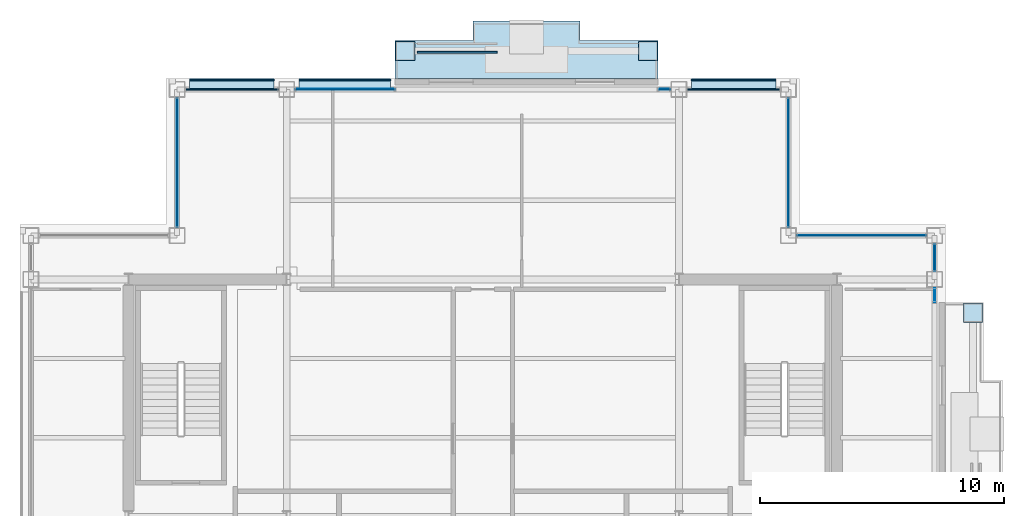
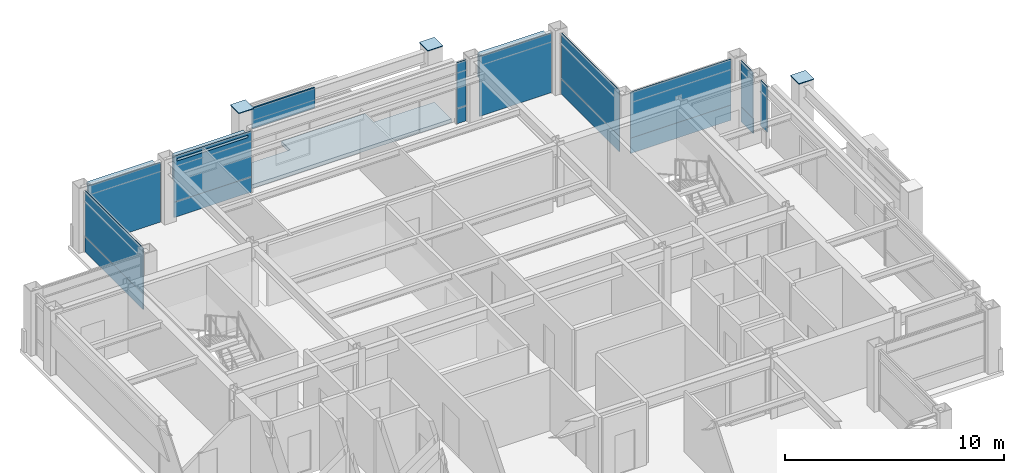
# One storey, part 18 of 23: 25 plates, 1 slab, 9 elements without a shape of their own.
"""IFC4 building model written with IfcOpenShell, lengths in metres."""

import ifcopenshell
import ifcopenshell.guid

model = None  # the IFC model being written
_history = None  # IfcOwnerHistory: only IFC2X3 demands one
_inside = {}  # id of a spatial element -> (the spatial element, [elements in it])
_under = {}  # id of a project, library or spatial element -> (it, [spatial elements below it])
_declared = {}  # id of a project -> (the project, [libraries it declares])
_typed = {}  # id of a type object -> (the type object, [elements of that type])
_made_of = {}  # id of a material, layer set ... -> (it, [elements and type objects made of it])


def new_model(schema):
    """Start an empty IFC model of exactly this schema.

    Asked for "IFC4X3", IfcOpenShell would pick the latest addendum, in which some entities
    have other attributes; the version numbers below select the first issue.
    IFC2X3 requires an IfcOwnerHistory on every rooted entity: one is made here for all.
    """
    global model, _history
    if schema == "IFC4X3":
        model = ifcopenshell.file(schema_version=(4, 3, 0, 0))
    else:
        model = ifcopenshell.file(schema=schema)
    _inside.clear()
    _under.clear()
    _declared.clear()
    _typed.clear()
    _made_of.clear()
    _history = None
    if model.schema == "IFC2X3":
        org = make("IfcOrganization", Name="unknown")
        user = make(
            "IfcPersonAndOrganization",
            ThePerson=make("IfcPerson", FamilyName="unknown"),
            TheOrganization=org,
        )
        app = make(
            "IfcApplication",
            ApplicationDeveloper=org,
            Version="unknown",
            ApplicationFullName="unknown",
            ApplicationIdentifier="unknown",
        )
        _history = make(
            "IfcOwnerHistory",
            OwningUser=user,
            OwningApplication=app,
            ChangeAction="ADDED",
            CreationDate=0,
        )
    return model


def make(cls, **values):
    """One entity of the class cls with the attributes given. An attribute that is None is left unset."""
    return model.create_entity(
        cls, **{name: value for name, value in values.items() if value is not None}
    )


def rooted(cls, **values):
    """An entity with a GlobalId (a new one), such as an element, a storey or a relation."""
    return make(cls, GlobalId=ifcopenshell.guid.new(), OwnerHistory=_history, **values)


def si_unit(unit_type, name, prefix=None):
    """IfcSIUnit, for example si_unit("LENGTHUNIT", "METRE", prefix="MILLI")."""
    return make("IfcSIUnit", UnitType=unit_type, Prefix=prefix, Name=name)


def assignment(units):
    """IfcUnitAssignment: the units of a project."""
    return None if units is None else make("IfcUnitAssignment", Units=units)


def point(xyz):
    """IfcCartesianPoint."""
    return None if xyz is None else make("IfcCartesianPoint", Coordinates=xyz)


def direction(xyz):
    """IfcDirection."""
    return None if xyz is None else make("IfcDirection", DirectionRatios=xyz)


def frame(location, z_axis=None, x_axis=None):
    """IfcAxis2Placement3D, a coordinate frame: its origin and axes. An axis left out is left unset."""
    return make(
        "IfcAxis2Placement3D",
        Location=point(location),
        Axis=direction(z_axis),
        RefDirection=direction(x_axis),
    )


def frame_2d(location, x_axis=None):
    """IfcAxis2Placement2D, a coordinate frame in the plane: its origin and x axis."""
    return make(
        "IfcAxis2Placement2D", Location=point(location), RefDirection=direction(x_axis)
    )


def origin():
    """The frame at (0, 0, 0) with its axes left unset."""
    return frame((0.0, 0.0, 0.0))


def origin_2d():
    """The frame at (0, 0) in the plane with its x axis left unset."""
    return frame_2d((0.0, 0.0))


def place(relative_to, where):
    """IfcLocalPlacement: puts the frame where relative to a parent placement (None: the world)."""
    return make(
        "IfcLocalPlacement", PlacementRelTo=relative_to, RelativePlacement=where
    )


def context(
    kind, dimensions, precision=None, world=None, true_north=None, identifier=None
):
    """IfcGeometricRepresentationContext, for example the 3D "Model" context."""
    return make(
        "IfcGeometricRepresentationContext",
        ContextIdentifier=identifier,
        ContextType=kind,
        CoordinateSpaceDimension=dimensions,
        Precision=precision,
        WorldCoordinateSystem=world,
        TrueNorth=true_north,
    )


def subcontext(parent, identifier, kind, view, scale=None):
    """IfcGeometricRepresentationSubContext, for example "Body" below "Model"."""
    return make(
        "IfcGeometricRepresentationSubContext",
        ContextIdentifier=identifier,
        ContextType=kind,
        ParentContext=parent,
        TargetScale=scale,
        TargetView=view,
    )


def project(units=None, contexts=None):
    """IfcProject with its units and contexts."""
    return rooted(
        "IfcProject",
        Name="project",
        RepresentationContexts=contexts,
        UnitsInContext=assignment(units),
    )


def spatial(cls, under=None, at=None, **own):
    """A site, building, storey or space (cls), placed at a placement, below another one or the project."""
    s = rooted(cls, ObjectPlacement=at, **own)
    if under is not None:
        _under.setdefault(under.id(), (under, []))[1].append(s)
    return s


def polyline(points):
    """IfcPolyline through the points."""
    return make("IfcPolyline", Points=[point(p) for p in points])


def profile(cls, at=None, kind="AREA", **sizes):
    """A parametric profile (cls). Its sizes go by their IFC names, for example OverallWidth=200.0."""
    return make(cls, ProfileType=kind, Position=at, **sizes)


def rectangle(**sizes):
    """IfcRectangleProfileDef."""
    return profile("IfcRectangleProfileDef", **sizes)


def outline(outer, holes=None, kind="AREA"):
    """IfcArbitraryClosedProfileDef: a profile drawn as a closed curve; with holes, ...WithVoids."""
    if holes is None:
        return make("IfcArbitraryClosedProfileDef", ProfileType=kind, OuterCurve=outer)
    return make(
        "IfcArbitraryProfileDefWithVoids",
        ProfileType=kind,
        OuterCurve=outer,
        InnerCurves=holes,
    )


def extrude(swept, where, along, depth):
    """IfcExtrudedAreaSolid: the profile swept, set in the frame where, extruded along a direction by depth."""
    return make(
        "IfcExtrudedAreaSolid",
        SweptArea=swept,
        Position=where,
        ExtrudedDirection=direction(along),
        Depth=depth,
    )


def shape(context_of_items, identifier, shape_type, items):
    """IfcShapeRepresentation: the items that make up one representation, for example the "Body"."""
    return make(
        "IfcShapeRepresentation",
        ContextOfItems=context_of_items,
        RepresentationIdentifier=identifier,
        RepresentationType=shape_type,
        Items=items,
    )


def material(Name=None, Category=None):
    """IfcMaterial."""
    return make("IfcMaterial", Name=Name, Category=Category)


def layer(
    of_material, thickness, ventilated=None, Name=None, Category=None, Priority=None
):
    """IfcMaterialLayer: one layer of a wall or slab, of a material (None: an air gap)."""
    return make(
        "IfcMaterialLayer",
        Material=of_material,
        LayerThickness=thickness,
        IsVentilated=ventilated,
        Name=Name,
        Category=Category,
        Priority=Priority,
    )


def layer_set(layers, Name=None):
    """IfcMaterialLayerSet."""
    return make("IfcMaterialLayerSet", MaterialLayers=layers, LayerSetName=Name)


def made_of(thing, what):
    """Note that an element or type object is made of a material, layer set ...; save() writes the relation."""
    if what is not None:
        _made_of.setdefault(what.id(), (what, []))[1].append(thing)
    return thing


def type_object(cls, material=None, **own):
    """A type object (cls), such as IfcWallType, which elements share."""
    return made_of(rooted(cls, **own), material)


def element(
    cls,
    number,
    at=None,
    inside=None,
    cuts=None,
    type_object=None,
    material=None,
    context=None,
    identifier="Body",
    shape_type=None,
    held_by="IfcProductDefinitionShape",
    body=None,
    shapes=None,
    **own,
):
    """One element of the class cls, such as IfcWall. Its Tag is "e" and its number.

    at: its placement. inside: the storey or other place that contains it. cuts: it is an
    opening in that element (IfcRelVoidsElement). A single representation is given by context,
    identifier, shape_type and body (its items); several are given by shapes. held_by: the class
    of the entity that holds the representations. save() writes the other relations.
    """
    e = rooted(cls, Tag="e%d" % number, ObjectPlacement=at, **own)
    if body is not None:
        shapes = [shape(context, identifier, shape_type, body)]
    if shapes is not None:
        e.Representation = make(held_by, Representations=shapes)
    if inside is not None:
        _inside.setdefault(inside.id(), (inside, []))[1].append(e)
    if cuts is not None:
        rooted(
            "IfcRelVoidsElement", RelatingBuildingElement=cuts, RelatedOpeningElement=e
        )
    if type_object is not None:
        _typed.setdefault(type_object.id(), (type_object, []))[1].append(e)
    return made_of(e, material)


def aggregate(whole, parts):
    """IfcRelAggregates: a whole, such as a stair, and the parts it consists of."""
    return rooted("IfcRelAggregates", RelatingObject=whole, RelatedObjects=parts)


def save(model, path):
    """Write the relations noted so far, then the file.

    IfcRelAggregates (storeys below a building ...), IfcRelContainedInSpatialStructure (elements
    in a storey), IfcRelDefinesByType, IfcRelAssociatesMaterial and IfcRelDeclares: one each for
    every whole, place, type object, material and project.
    """
    for whole, parts in _under.values():
        aggregate(whole, parts)
    for where, things in _inside.values():
        rooted(
            "IfcRelContainedInSpatialStructure",
            RelatedElements=things,
            RelatingStructure=where,
        )
    for kind, things in _typed.values():
        rooted("IfcRelDefinesByType", RelatedObjects=things, RelatingType=kind)
    for what, things in _made_of.values():
        rooted("IfcRelAssociatesMaterial", RelatedObjects=things, RelatingMaterial=what)
    for by, libraries in _declared.values():
        rooted("IfcRelDeclares", RelatingContext=by, RelatedDefinitions=libraries)
    model.write(path)


model = new_model("IFC4")

# Units and contexts
model_context = context("Model", 3, precision=1e-05, world=origin(), true_north=direction((0.0, 1.0)))
body_context = subcontext(model_context, "Body", "Model", "MODEL_VIEW")
ifc_project = project(units=[si_unit("LENGTHUNIT", "METRE"), si_unit("AREAUNIT", "SQUARE_METRE"), si_unit("VOLUMEUNIT", "CUBIC_METRE"), si_unit("PLANEANGLEUNIT", "RADIAN"), si_unit("MASSUNIT", "GRAM", prefix="KILO")], contexts=[model_context])

# Site, building, storey
site_placement = place(None, origin())
site = spatial("IfcSite", under=ifc_project, at=site_placement, CompositionType="ELEMENT")
building_placement = place(site_placement, origin())
building = spatial("IfcBuilding", under=site, at=building_placement, Name="Brelmoor Portico Tower", CompositionType="ELEMENT")
storey_placement = place(building_placement, frame((0.0, 0.0, 222.0)))
storey = spatial("IfcBuildingStorey", under=building, at=storey_placement, Name="L58", CompositionType="ELEMENT", Elevation=222.0)

# Plates
ifc_material_1 = material(Name="Steel Q355B", Category="steel")
ifc_layer_1 = layer(ifc_material_1, 0.044921875)
ifc_layer_set_1 = layer_set([ifc_layer_1], Name="Steel Q355B")
plate_type_1 = type_object("IfcPlateType", Name="PT-CAP-650", PredefinedType="SHEET", material=ifc_layer_set_1)
for number, where, z_axis, x_axis, name in (
    (1, (-3.179931640625, 19.1298828125, 3.60009765625), (0.0, 0.0, 1.0), (1.0, 0.0, 0.0), "L58 Proud Picture-Frame Pier PFJ-N1 Welded Head Cap Plate"),
    (2, (6.780029296875, 19.1298828125, 3.60009765625), (0.0, 0.0, 1.0), (1.0, 0.0, 0.0), "L58 Proud Picture-Frame Pier PFJ-N2 Welded Head Cap Plate"),
    (3, (20.1298828125, 8.3798828125, 3.60009765625), (0.0, 0.0, 1.0), (0.0, 1.0, 0.0), "L58 Proud Picture-Frame Pier PFJ-E2 Welded Head Cap Plate"),
):
    element("IfcPlate", number, at=place(storey_placement, frame(where, z_axis=z_axis, x_axis=x_axis)), inside=storey, type_object=plate_type_1, Name=name, PredefinedType="SHEET", context=body_context, shape_type="SweptSolid", body=[
        extrude(rectangle(XDim=0.7900390625, YDim=0.7900390625, at=origin_2d()), origin(), (0.0, 0.0, 1.0), 0.0400390625),
    ])

# Curtain wall, plate
ifc_material_2 = material(Name="Anodised Aluminium Alloy 6063-T6", Category="aluminium")
ifc_layer_2 = layer(ifc_material_2, 0.179931640625)
ifc_layer_set_2 = layer_set([ifc_layer_2], Name="Anodised Aluminium Alloy 6063-T6")
curtain_wall_type_1 = type_object("IfcCurtainWallType", Name="CW-TOWER-Z4", PredefinedType="NOTDEFINED", material=ifc_layer_set_2)
curtain_wall_1_placement = place(storey_placement, origin())
curtain_wall_1 = element("IfcCurtainWall", 4, at=curtain_wall_1_placement, inside=storey, type_object=curtain_wall_type_1, Name="L58 Curtain Wall CW-L58-2L-2", PredefinedType="NOTDEFINED")
ifc_material_3 = material(Name="Double-Silver Low-E Insulated Glazing", Category="glass")
ifc_layer_3 = layer(ifc_material_3, 0.035888671875)
ifc_layer_set_3 = layer_set([ifc_layer_3], Name="Double-Silver Low-E Insulated Glazing")
plate_type_2 = type_object("IfcPlateType", Name="PT-CW-GLASS", PredefinedType="CURTAIN_PANEL", material=ifc_layer_set_3)
plate_1_placement = place(storey_placement, frame((-5.657470703125, 17.550048828125, 0.85009765625), z_axis=(0.0, 0.0, 1.0), x_axis=(1.0, 0.0, 0.0)))
plate_1 = element("IfcPlate", 5, at=plate_1_placement, type_object=plate_type_2, Name="CW-L58-2L-2 Vision Glass Panel 00", PredefinedType="CURTAIN_PANEL", context=body_context, shape_type="SweptSolid", body=[
    extrude(rectangle(XDim=4.0849609375, YDim=0.035888671875, at=origin_2d()), origin(), (0.0, 0.0, 1.0), 2.550048828125),
])

curtain_wall_2_placement = place(storey_placement, origin())
curtain_wall_2 = element("IfcCurtainWall", 6, at=curtain_wall_2_placement, inside=storey, type_object=curtain_wall_type_1, Name="L58 Curtain Wall CW-L58-2R-1", PredefinedType="NOTDEFINED")
plate_2_placement = place(storey_placement, frame((7.45751953125, 17.550048828125, 0.85009765625), z_axis=(0.0, 0.0, 1.0), x_axis=(1.0, 0.0, 0.0)))
plate_2 = element("IfcPlate", 7, at=plate_2_placement, type_object=plate_type_2, Name="CW-L58-2R-1 Vision Glass Panel 00", PredefinedType="CURTAIN_PANEL", context=body_context, shape_type="SweptSolid", body=[
    extrude(rectangle(XDim=0.485107421875, YDim=0.035888671875, at=origin_2d()), origin(), (0.0, 0.0, 1.0), 2.550048828125),
])

curtain_wall_3_placement = place(storey_placement, origin())
curtain_wall_3 = element("IfcCurtainWall", 8, at=curtain_wall_3_placement, inside=storey, type_object=curtain_wall_type_1, Name="L58 Curtain Wall CW-L58-4R-1", PredefinedType="NOTDEFINED")
plate_3_placement = place(storey_placement, frame((18.550048828125, 9.107421875, 0.85009765625), z_axis=(0.0, 0.0, 1.0), x_axis=(0.0, 1.0, 0.0)))
plate_3 = element("IfcPlate", 9, at=plate_3_placement, type_object=plate_type_2, Name="CW-L58-4R-1 Vision Glass Panel 00", PredefinedType="CURTAIN_PANEL", context=body_context, shape_type="SweptSolid", body=[
    extrude(rectangle(XDim=0.5849609375, YDim=0.035888671875, at=origin_2d()), origin(), (0.0, 0.0, 1.0), 2.550048828125),
])
aggregate(curtain_wall_3, [plate_3])

curtain_wall_4_placement = place(storey_placement, origin())
curtain_wall_4 = element("IfcCurtainWall", 10, at=curtain_wall_4_placement, inside=storey, type_object=curtain_wall_type_1, Name="L58 Curtain Wall CW-L58-4R-2", PredefinedType="NOTDEFINED")
plate_4_placement = place(storey_placement, frame((18.550048828125, 10.64990234375, 0.85009765625), z_axis=(0.0, 0.0, 1.0), x_axis=(0.0, 1.0, 0.0)))
plate_4 = element("IfcPlate", 11, at=plate_4_placement, type_object=plate_type_2, Name="CW-L58-4R-2 Vision Glass Panel 00", PredefinedType="CURTAIN_PANEL", context=body_context, shape_type="SweptSolid", body=[
    extrude(rectangle(XDim=1.10009765625, YDim=0.035888671875, at=origin_2d()), origin(), (0.0, 0.0, 1.0), 2.550048828125),
])

ifc_layer_4 = layer(ifc_material_2, 0.179931640625)
ifc_layer_set_4 = layer_set([ifc_layer_4], Name="Anodised Aluminium Alloy 6063-T6")
curtain_wall_type_2 = type_object("IfcCurtainWallType", Name="CW-NOTCH-CHAMFER", PredefinedType="NOTDEFINED", material=ifc_layer_set_4)
curtain_wall_5_placement = place(storey_placement, origin())
curtain_wall_5 = element("IfcCurtainWall", 12, at=curtain_wall_5_placement, inside=storey, type_object=curtain_wall_type_2, Name="L58 Curtain Wall CWN-L58-NWV", PredefinedType="NOTDEFINED")
plate_5_placement = place(storey_placement, frame((-12.550048828125, 14.550048828125, 0.85009765625), z_axis=(0.0, 0.0, 1.0), x_axis=(0.0, 1.0, 0.0)))
plate_5 = element("IfcPlate", 13, at=plate_5_placement, type_object=plate_type_2, Name="CWN-L58-NWV Vision Glass Panel 00", PredefinedType="CURTAIN_PANEL", context=body_context, shape_type="SweptSolid", body=[
    extrude(rectangle(XDim=5.300048828125, YDim=0.035888671875, at=origin_2d()), origin(), (0.0, 0.0, 1.0), 2.550048828125),
])

curtain_wall_6_placement = place(storey_placement, origin())
curtain_wall_6 = element("IfcCurtainWall", 14, at=curtain_wall_6_placement, inside=storey, type_object=curtain_wall_type_2, Name="L58 Curtain Wall CWN-L58-NEH", PredefinedType="NOTDEFINED")
plate_6_placement = place(storey_placement, frame((15.550048828125, 11.550048828125, 0.85009765625), z_axis=(0.0, 0.0, 1.0), x_axis=(1.0, 0.0, 0.0)))
plate_6 = element("IfcPlate", 15, at=plate_6_placement, type_object=plate_type_2, Name="CWN-L58-NEH Vision Glass Panel 00", PredefinedType="CURTAIN_PANEL", context=body_context, shape_type="SweptSolid", body=[
    extrude(rectangle(XDim=5.300048828125, YDim=0.035888671875, at=origin_2d()), origin(), (0.0, 0.0, 1.0), 2.550048828125),
])

curtain_wall_7_placement = place(storey_placement, origin())
curtain_wall_7 = element("IfcCurtainWall", 16, at=curtain_wall_7_placement, inside=storey, type_object=curtain_wall_type_2, Name="L58 Curtain Wall CWN-L58-NEV", PredefinedType="NOTDEFINED")
plate_7_placement = place(storey_placement, frame((12.550048828125, 14.550048828125, 0.85009765625), z_axis=(0.0, 0.0, 1.0), x_axis=(0.0, 1.0, 0.0)))
plate_7 = element("IfcPlate", 17, at=plate_7_placement, type_object=plate_type_2, Name="CWN-L58-NEV Vision Glass Panel 00", PredefinedType="CURTAIN_PANEL", context=body_context, shape_type="SweptSolid", body=[
    extrude(rectangle(XDim=5.300048828125, YDim=0.035888671875, at=origin_2d()), origin(), (0.0, 0.0, 1.0), 2.550048828125),
])

ifc_layer_5 = layer(ifc_material_2, 0.179931640625)
ifc_layer_set_5 = layer_set([ifc_layer_5], Name="Anodised Aluminium Alloy 6063-T6")
curtain_wall_type_3 = type_object("IfcCurtainWallType", Name="CW-TOWER-Z4-XB", PredefinedType="NOTDEFINED", material=ifc_layer_set_5)
curtain_wall_8_placement = place(storey_placement, origin())
curtain_wall_8 = element("IfcCurtainWall", 18, at=curtain_wall_8_placement, inside=storey, type_object=curtain_wall_type_3, Name="L58 Curtain Wall CW-L58-2L-1", PredefinedType="NOTDEFINED")
ifc_material_4 = material(Name="Pale Champagne Anodised Aluminium Panel", Category="aluminium")
ifc_layer_6 = layer(ifc_material_4, 0.050048828125)
ifc_layer_set_6 = layer_set([ifc_layer_6], Name="Pale Champagne Anodised Aluminium Panel")
plate_type_3 = type_object("IfcPlateType", Name="PT-CW-SPANDREL", PredefinedType="SHEET", material=ifc_layer_set_6)
plate_8_placement = place(storey_placement, frame((-10.300048828125, 17.550048828125, 0.0), z_axis=(0.0, 0.0, 1.0), x_axis=(1.0, 0.0, 0.0)))
plate_8 = element("IfcPlate", 19, at=plate_8_placement, type_object=plate_type_3, Name="CW-L58-2L-1 Spandrel Panel 00", PredefinedType="SHEET", context=body_context, shape_type="SweptSolid", body=[
    extrude(rectangle(XDim=3.800048828125, YDim=0.050048828125, at=origin_2d()), origin(), (0.0, 0.0, 1.0), 3.33740234375),
])
aggregate(curtain_wall_8, [plate_8])

# Plate
plate_9_placement = place(storey_placement, frame((-5.657470703125, 17.550048828125, 0.0), z_axis=(0.0, 0.0, 1.0), x_axis=(1.0, 0.0, 0.0)))
plate_9 = element("IfcPlate", 20, at=plate_9_placement, type_object=plate_type_3, Name="CW-L58-2L-2 Spandrel Panel 00", PredefinedType="SHEET", context=body_context, shape_type="SweptSolid", body=[
    extrude(rectangle(XDim=4.0849609375, YDim=0.050048828125, at=origin_2d()), origin(), (0.0, 0.0, 1.0), 0.85009765625),
])

aggregate(curtain_wall_1, [plate_9, plate_1])

plate_10_placement = place(storey_placement, frame((7.45751953125, 17.550048828125, 0.0), z_axis=(0.0, 0.0, 1.0), x_axis=(1.0, 0.0, 0.0)))
plate_10 = element("IfcPlate", 21, at=plate_10_placement, type_object=plate_type_3, Name="CW-L58-2R-1 Spandrel Panel 00", PredefinedType="SHEET", context=body_context, shape_type="SweptSolid", body=[
    extrude(rectangle(XDim=0.485107421875, YDim=0.050048828125, at=origin_2d()), origin(), (0.0, 0.0, 1.0), 0.85009765625),
])

aggregate(curtain_wall_2, [plate_10, plate_2])

# Curtain wall, plate
curtain_wall_9_placement = place(storey_placement, origin())
curtain_wall_9 = element("IfcCurtainWall", 22, at=curtain_wall_9_placement, inside=storey, type_object=curtain_wall_type_3, Name="L58 Curtain Wall CW-L58-2R-2", PredefinedType="NOTDEFINED")
plate_11_placement = place(storey_placement, frame((10.300048828125, 17.550048828125, 0.0), z_axis=(0.0, 0.0, 1.0), x_axis=(1.0, 0.0, 0.0)))
plate_11 = element("IfcPlate", 23, at=plate_11_placement, type_object=plate_type_3, Name="CW-L58-2R-2 Spandrel Panel 00", PredefinedType="SHEET", context=body_context, shape_type="SweptSolid", body=[
    extrude(rectangle(XDim=3.800048828125, YDim=0.050048828125, at=origin_2d()), origin(), (0.0, 0.0, 1.0), 3.33740234375),
])
aggregate(curtain_wall_9, [plate_11])

# Plate
plate_12_placement = place(storey_placement, frame((18.550048828125, 10.64990234375, 0.0), z_axis=(0.0, 0.0, 1.0), x_axis=(0.0, 1.0, 0.0)))
plate_12 = element("IfcPlate", 24, at=plate_12_placement, type_object=plate_type_3, Name="CW-L58-4R-2 Spandrel Panel 00", PredefinedType="SHEET", context=body_context, shape_type="SweptSolid", body=[
    extrude(rectangle(XDim=1.10009765625, YDim=0.050048828125, at=origin_2d()), origin(), (0.0, 0.0, 1.0), 0.85009765625),
])

aggregate(curtain_wall_4, [plate_12, plate_4])

plate_13_placement = place(storey_placement, frame((-12.550048828125, 14.550048828125, 0.0), z_axis=(0.0, 0.0, 1.0), x_axis=(0.0, 1.0, 0.0)))
plate_13 = element("IfcPlate", 25, at=plate_13_placement, type_object=plate_type_3, Name="CWN-L58-NWV Spandrel Panel 00", PredefinedType="SHEET", context=body_context, shape_type="SweptSolid", body=[
    extrude(rectangle(XDim=5.300048828125, YDim=0.050048828125, at=origin_2d()), origin(), (0.0, 0.0, 1.0), 0.85009765625),
])

aggregate(curtain_wall_5, [plate_13, plate_5])

plate_14_placement = place(storey_placement, frame((15.550048828125, 11.550048828125, 0.0), z_axis=(0.0, 0.0, 1.0), x_axis=(1.0, 0.0, 0.0)))
plate_14 = element("IfcPlate", 26, at=plate_14_placement, type_object=plate_type_3, Name="CWN-L58-NEH Spandrel Panel 00", PredefinedType="SHEET", context=body_context, shape_type="SweptSolid", body=[
    extrude(rectangle(XDim=5.300048828125, YDim=0.050048828125, at=origin_2d()), origin(), (0.0, 0.0, 1.0), 0.85009765625),
])

aggregate(curtain_wall_6, [plate_14, plate_6])

plate_15_placement = place(storey_placement, frame((12.550048828125, 14.550048828125, 0.0), z_axis=(0.0, 0.0, 1.0), x_axis=(0.0, 1.0, 0.0)))
plate_15 = element("IfcPlate", 27, at=plate_15_placement, type_object=plate_type_3, Name="CWN-L58-NEV Spandrel Panel 00", PredefinedType="SHEET", context=body_context, shape_type="SweptSolid", body=[
    extrude(rectangle(XDim=5.300048828125, YDim=0.050048828125, at=origin_2d()), origin(), (0.0, 0.0, 1.0), 0.85009765625),
])

aggregate(curtain_wall_7, [plate_15, plate_7])

# Plates
ifc_material_5 = material(Name="Powder-Coated Aluminium Shuttered Jalousie Louvre", Category="aluminium")
ifc_layer_7 = layer(ifc_material_5, 0.06005859375)
ifc_layer_set_7 = layer_set([ifc_layer_7], Name="Powder-Coated Aluminium Shuttered Jalousie Louvre")
plate_type_4 = type_object("IfcPlateType", Name="PT-JALOUSIE-SHUTTER", PredefinedType="SHEET", material=ifc_layer_set_7)
plate_16_placement = place(storey_placement, frame((-10.300048828125, 17.929931640625, 1.8740234375), z_axis=(0.0, 0.0, 1.0), x_axis=(1.0, 0.0, 0.0)))
element("IfcPlate", 28, at=plate_16_placement, inside=storey, type_object=plate_type_4, Name="CW-L58-2L-1 Perforated Jalousie Solar Screen", PredefinedType="SHEET", context=body_context, shape_type="SweptSolid", body=[
    extrude(rectangle(XDim=3.469970703125, YDim=0.06494140625, at=origin_2d()), origin(), (0.0, 0.0, 1.0), 1.325927734375),
])
plate_17_placement = place(storey_placement, frame((-5.657470703125, 17.929931640625, 1.8740234375), z_axis=(0.0, 0.0, 1.0), x_axis=(1.0, 0.0, 0.0)))
element("IfcPlate", 29, at=plate_17_placement, inside=storey, type_object=plate_type_4, Name="CW-L58-2L-2 Perforated Jalousie Solar Screen", PredefinedType="SHEET", context=body_context, shape_type="SweptSolid", body=[
    extrude(rectangle(XDim=3.7548828125, YDim=0.06494140625, at=origin_2d()), origin(), (0.0, 0.0, 1.0), 1.325927734375),
])
plate_18_placement = place(storey_placement, frame((10.300048828125, 17.929931640625, 1.8740234375), z_axis=(0.0, 0.0, 1.0), x_axis=(1.0, 0.0, 0.0)))
element("IfcPlate", 30, at=plate_18_placement, inside=storey, type_object=plate_type_4, Name="CW-L58-2R-2 Perforated Jalousie Solar Screen", PredefinedType="SHEET", context=body_context, shape_type="SweptSolid", body=[
    extrude(rectangle(XDim=3.469970703125, YDim=0.06494140625, at=origin_2d()), origin(), (0.0, 0.0, 1.0), 1.325927734375),
])
plate_19_placement = place(storey_placement, frame((-1.050048828125, 19.080078125, 2.275146484375), z_axis=(0.0, 0.0, 1.0), x_axis=(1.0, 0.0, 0.0)))
element("IfcPlate", 31, at=plate_19_placement, inside=storey, type_object=plate_type_4, Name="L58 Shuttered Veranda Screen N", PredefinedType="SHEET", context=body_context, shape_type="SweptSolid", body=[
    extrude(rectangle(XDim=3.300048828125, YDim=0.080078125, at=origin_2d()), origin(), (0.0, 0.0, 1.0), 1.14990234375),
])
ifc_material_6 = material(Name="Pale Champagne Perforated Aluminium Solar Screen", Category="aluminium")
ifc_layer_8 = layer(ifc_material_6, 0.054931640625)
ifc_layer_set_8 = layer_set([ifc_layer_8], Name="Pale Champagne Perforated Aluminium Solar Screen")
plate_type_5 = type_object("IfcPlateType", Name="PT-SOLAR-LOUVRE", PredefinedType="SHEET", material=ifc_layer_set_8)
plate_20_placement = place(storey_placement, frame((-10.300048828125, 17.760009765625, 3.08984375), z_axis=(0.0, 0.0, 1.0), x_axis=(1.0, 0.0, 0.0)))
element("IfcPlate", 32, at=plate_20_placement, inside=storey, type_object=plate_type_5, Name="CW-L58-2L-1 Caribbean Brise-Soleil Solar Screen", PredefinedType="SHEET", context=body_context, shape_type="SweptSolid", body=[
    extrude(rectangle(XDim=3.469970703125, YDim=0.4599609375, at=origin_2d()), origin(), (0.0, 0.0, 1.0), 0.139892578125),
])
plate_21_placement = place(storey_placement, frame((-5.657470703125, 17.760009765625, 3.08984375), z_axis=(0.0, 0.0, 1.0), x_axis=(1.0, 0.0, 0.0)))
element("IfcPlate", 33, at=plate_21_placement, inside=storey, type_object=plate_type_5, Name="CW-L58-2L-2 Caribbean Brise-Soleil Solar Screen", PredefinedType="SHEET", context=body_context, shape_type="SweptSolid", body=[
    extrude(rectangle(XDim=3.7548828125, YDim=0.4599609375, at=origin_2d()), origin(), (0.0, 0.0, 1.0), 0.139892578125),
])
plate_22_placement = place(storey_placement, frame((10.300048828125, 17.760009765625, 3.08984375), z_axis=(0.0, 0.0, 1.0), x_axis=(1.0, 0.0, 0.0)))
element("IfcPlate", 34, at=plate_22_placement, inside=storey, type_object=plate_type_5, Name="CW-L58-2R-2 Caribbean Brise-Soleil Solar Screen", PredefinedType="SHEET", context=body_context, shape_type="SweptSolid", body=[
    extrude(rectangle(XDim=3.469970703125, YDim=0.4599609375, at=origin_2d()), origin(), (0.0, 0.0, 1.0), 0.139892578125),
])

# Slab
ifc_material_7 = material(Name="Concrete C40", Category="concrete")
ifc_layer_9 = layer(ifc_material_7, 0.199951171875)
ifc_layer_set_9 = layer_set([ifc_layer_9], Name="Concrete C40")
slab_type = type_object("IfcSlabType", Name="SL-BALCONY-200", PredefinedType="FLOOR", material=ifc_layer_set_9)
slab_placement = place(storey_placement, frame((0.0, 0.0, -0.199951171875)))
element("IfcSlab", 35, at=slab_placement, inside=storey, type_object=slab_type, Name="L58 Loggia Tree Balcony Slab N", PredefinedType="FLOOR", context=body_context, shape_type="SweptSolid", body=[
    extrude(outline(polyline([(-3.60009765625, 18.0), (7.199951171875, 18.0), (7.199951171875, 19.550048828125), (4.0, 19.550048828125), (4.0, 20.35009765625), (-0.39990234375, 20.35009765625), (-0.39990234375, 19.550048828125), (-3.60009765625, 19.550048828125), (-3.60009765625, 18.0)])), origin(), (0.0, 0.0, 1.0), 0.199951171875),
])

save(model, "model.ifc")
